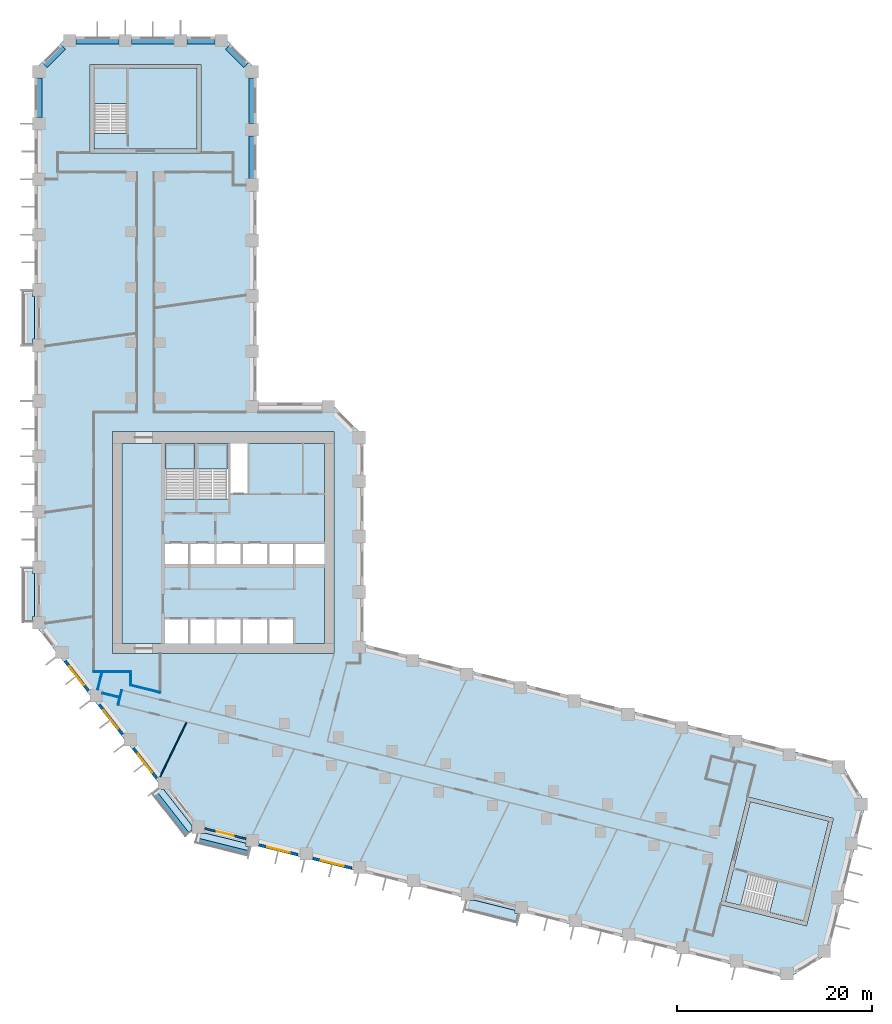
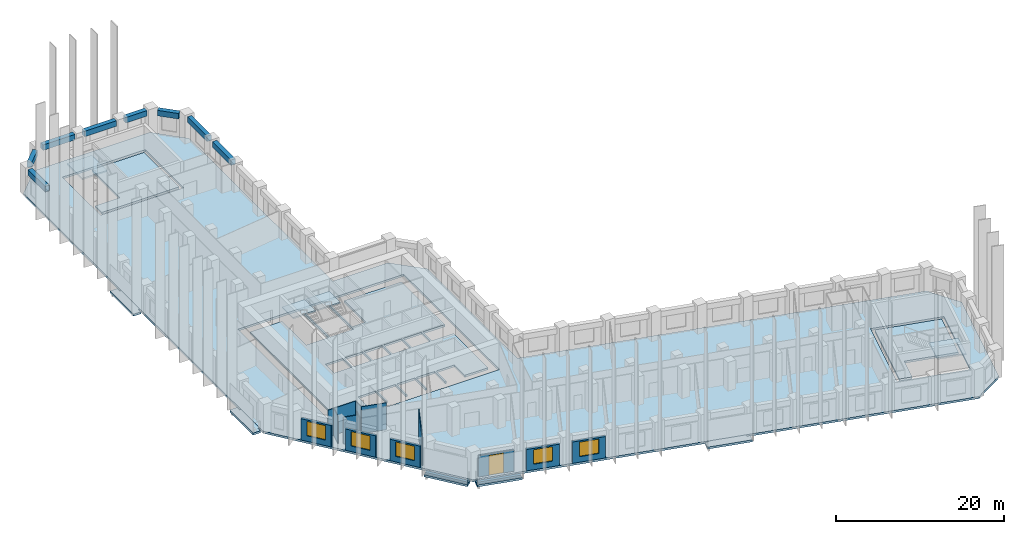
# One storey, part 2 of 11: 15 walls, 13 slabs, 8 beams, 5 windows, 1 door, 6 openings, 4 elements without a shape of their own.
"""IFC4 building model written with IfcOpenShell, lengths in metres."""

from ifc_helpers import new_model, si_unit, direction, frame, frame_2d, origin, origin_2d, place, context, subcontext, project, spatial, polyline, rectangle, outline, extrude, material, layer, layer_set, material_profile, profile_set, type_object, element, fill, aggregate, save


model = new_model("IFC4")

# Units and contexts
model_context = context("Model", 3, precision=1e-05, world=origin(), true_north=direction((0.0, 1.0)))
body_context = subcontext(model_context, "Body", "Model", "MODEL_VIEW")
ifc_project = project(units=[si_unit("LENGTHUNIT", "METRE"), si_unit("AREAUNIT", "SQUARE_METRE"), si_unit("VOLUMEUNIT", "CUBIC_METRE"), si_unit("PLANEANGLEUNIT", "RADIAN"), si_unit("MASSUNIT", "GRAM", prefix="KILO")], contexts=[model_context])

# Site, building, storey
site_placement = place(None, origin())
site = spatial("IfcSite", under=ifc_project, at=site_placement, CompositionType="ELEMENT")
building_placement = place(site_placement, origin())
building = spatial("IfcBuilding", under=site, at=building_placement, Name="Meshkara Civic Tower", CompositionType="ELEMENT")
storey_placement = place(building_placement, frame((0.0, 0.0, 97.199951171875)))
storey = spatial("IfcBuildingStorey", under=building, at=storey_placement, Name="L21", CompositionType="ELEMENT", Elevation=97.199951171875)

# Beams
ifc_material_1 = material(Name="Concrete C70", Category="concrete")
ifc_material_profile = material_profile(ifc_material_1, rectangle(XDim=0.60009765625, YDim=0.800048828125, at=origin_2d()))
ifc_profile_set = profile_set([ifc_material_profile], Name="Concrete C70")
beam_type = type_object("IfcBeamType", Name="Spandrel beam RC 600x800 C70", PredefinedType="BEAM", material=ifc_profile_set)
beam_1_placement = place(storey_placement, frame((22.35009765625, 62.89501953125, 3.5), z_axis=(0.0, 1.0, 0.0), x_axis=(-1.0, 0.0, 0.0)))
element("IfcBeam", 1, at=beam_1_placement, inside=storey, type_object=beam_type, Name="Spandrel beam AE04-AE05", PredefinedType="BEAM", context=body_context, shape_type="SweptSolid", body=[
    extrude(rectangle(XDim=0.60009765625, YDim=0.800048828125, at=origin_2d()), origin(), (0.0, 0.0, 1.0), 4.409912109375),
])
beam_2_placement = place(storey_placement, frame((22.35009765625, 68.594970703125, 3.5), z_axis=(0.0, 1.0, 0.0), x_axis=(-1.0, 0.0, 0.0)))
element("IfcBeam", 2, at=beam_2_placement, inside=storey, type_object=beam_type, Name="Spandrel beam AE05-AEEP1", PredefinedType="BEAM", context=body_context, shape_type="SweptSolid", body=[
    extrude(rectangle(XDim=0.60009765625, YDim=0.800048828125, at=origin_2d()), origin(), (0.0, 0.0, 1.0), 4.674072265625),
])
beam_3_placement = place(storey_placement, frame((21.70361328125, 74.560546875, 3.5), z_axis=(-0.707106781187, 0.707106781187, 0.0), x_axis=(-0.707106781187, -0.707106781187, 0.0)))
element("IfcBeam", 3, at=beam_3_placement, inside=storey, type_object=beam_type, Name="Spandrel beam AEEP1-ATiEP1", PredefinedType="BEAM", context=body_context, shape_type="SweptSolid", body=[
    extrude(rectangle(XDim=0.60009765625, YDim=0.800048828125, at=origin_2d()), origin(), (0.0, 0.0, 1.0), 2.634765625),
])
beam_4_placement = place(storey_placement, frame((18.549072265625, 77.070068359375, 3.5), z_axis=(-1.0, 0.0, 0.0), x_axis=(0.0, -1.0, 0.0)))
element("IfcBeam", 4, at=beam_4_placement, inside=storey, type_object=beam_type, Name="Spandrel beam AT02-P1-ATiEP1", PredefinedType="BEAM", context=body_context, shape_type="SweptSolid", body=[
    extrude(rectangle(XDim=0.60009765625, YDim=0.800048828125, at=origin_2d()), origin(), (0.0, 0.0, 1.0), 2.898193359375),
])
beam_5_placement = place(storey_placement, frame((14.361083984375, 77.070068359375, 3.5), z_axis=(-1.0, 0.0, 0.0), x_axis=(0.0, -1.0, 0.0)))
element("IfcBeam", 5, at=beam_5_placement, inside=storey, type_object=beam_type, Name="Spandrel beam AT01-P1-AT02-P1", PredefinedType="BEAM", context=body_context, shape_type="SweptSolid", body=[
    extrude(rectangle(XDim=0.60009765625, YDim=0.800048828125, at=origin_2d()), origin(), (0.0, 0.0, 1.0), 4.41015625),
])
beam_6_placement = place(storey_placement, frame((8.660888671875, 77.070068359375, 3.5), z_axis=(-1.0, 0.0, 0.0), x_axis=(0.0, -1.0, 0.0)))
element("IfcBeam", 6, at=beam_6_placement, inside=storey, type_object=beam_type, Name="Spandrel beam AT00-P1-AT01-P1", PredefinedType="BEAM", context=body_context, shape_type="SweptSolid", body=[
    extrude(rectangle(XDim=0.60009765625, YDim=0.800048828125, at=origin_2d()), origin(), (0.0, 0.0, 1.0), 4.409912109375),
])
beam_7_placement = place(storey_placement, frame((2.95947265625, 76.423583984375, 3.5), z_axis=(-0.707106781187, -0.707106781187, 0.0), x_axis=(0.707106781187, -0.707106781187, 0.0)))
element("IfcBeam", 7, at=beam_7_placement, inside=storey, type_object=beam_type, Name="Spandrel beam AT00-P1-ATo00-P1", PredefinedType="BEAM", context=body_context, shape_type="SweptSolid", body=[
    extrude(rectangle(XDim=0.60009765625, YDim=0.800048828125, at=origin_2d()), origin(), (0.0, 0.0, 1.0), 2.634765625),
])
beam_8_placement = place(storey_placement, frame((0.449951171875, 73.26904296875, 3.5), z_axis=(0.0, -1.0, 0.0), x_axis=(1.0, 0.0, 0.0)))
element("IfcBeam", 8, at=beam_8_placement, inside=storey, type_object=beam_type, Name="Spandrel beam ATo00-P1-AW09", PredefinedType="BEAM", context=body_context, shape_type="SweptSolid", body=[
    extrude(rectangle(XDim=0.60009765625, YDim=0.800048828125, at=origin_2d()), origin(), (0.0, 0.0, 1.0), 4.069091796875),
])

# Slabs
ifc_material_2 = material(Name="Concrete C40", Category="concrete")
ifc_layer_1 = layer(ifc_material_2, 0.300048828125)
ifc_layer_set_1 = layer_set([ifc_layer_1], Name="BALCONY SLAB")
slab_type_1 = type_object("IfcSlabType", Name="BALCONY SLAB", PredefinedType="FLOOR", material=ifc_layer_set_1)
slab_1_placement = place(storey_placement, frame((0.0, 0.0, -0.300048828125)))
element("IfcSlab", 9, at=slab_1_placement, inside=storey, type_object=slab_type_1, Name="Balcony slab", PredefinedType="FLOOR", context=body_context, shape_type="SweptSolid", body=[
    extrude(outline(polyline([(-1.199951171875, 45.81494140625), (-1.199951171875, 51.39501953125), (-0.199951171875, 51.39501953125), (-0.199951171875, 50.804931640625), (0.0, 50.804931640625), (0.0, 46.405029296875), (-0.199951171875, 46.405029296875), (-0.199951171875, 45.81494140625), (-1.199951171875, 45.81494140625)])), origin(), (0.0, 0.0, 1.0), 0.300048828125),
])
slab_2_placement = place(storey_placement, frame((0.0, 0.0, -0.300048828125)))
element("IfcSlab", 10, at=slab_2_placement, inside=storey, type_object=slab_type_1, Name="Balcony slab", PredefinedType="FLOOR", context=body_context, shape_type="SweptSolid", body=[
    extrude(outline(polyline([(-1.199951171875, 17.31494140625), (-1.199951171875, 22.89501953125), (-0.199951171875, 22.89501953125), (-0.199951171875, 22.304931640625), (0.0, 22.304931640625), (0.0, 17.905029296875), (-0.199951171875, 17.905029296875), (-0.199951171875, 17.31494140625), (-1.199951171875, 17.31494140625)])), origin(), (0.0, 0.0, 1.0), 0.300048828125),
])
slab_3_placement = place(storey_placement, frame((0.0, 0.0, -0.300048828125)))
element("IfcSlab", 11, at=slab_3_placement, inside=storey, type_object=slab_type_1, Name="Balcony slab", PredefinedType="FLOOR", context=body_context, shape_type="SweptSolid", body=[
    extrude(outline(polyline([(15.513916015625, -4.7060546875), (12.0791015625, -0.30908203125), (12.69189453125, 0.169921875), (12.69189453125, 0.10400390625), (13.279052734375, 0.10400390625), (16.200927734375, -3.636962890625), (16.200927734375, -4.169921875), (15.513916015625, -4.7060546875)])), origin(), (0.0, 0.0, 1.0), 0.300048828125),
])
slab_4_placement = place(storey_placement, frame((0.0, 0.0, -0.300048828125)))
element("IfcSlab", 12, at=slab_4_placement, inside=storey, type_object=slab_type_1, Name="Balcony slab", PredefinedType="FLOOR", context=body_context, shape_type="SweptSolid", body=[
    extrude(outline(polyline([(21.925048828125, -6.702880859375), (16.510009765625, -5.35302734375), (16.7509765625, -4.387939453125), (17.5009765625, -4.387939453125), (17.5009765625, -4.364013671875), (21.73193359375, -5.41796875), (21.73193359375, -5.76708984375), (22.157958984375, -5.76708984375), (21.925048828125, -6.702880859375)])), origin(), (0.0, 0.0, 1.0), 0.300048828125),
])
slab_5_placement = place(storey_placement, frame((0.0, 0.0, -0.300048828125)))
element("IfcSlab", 13, at=slab_5_placement, inside=storey, type_object=slab_type_1, Name="Balcony slab", PredefinedType="FLOOR", context=body_context, shape_type="SweptSolid", body=[
    extrude(outline(polyline([(49.577880859375, -13.597900390625), (44.1640625, -12.248046875), (44.405029296875, -11.281982421875), (45.155029296875, -11.281982421875), (45.155029296875, -11.258056640625), (49.385009765625, -12.31298828125), (49.385009765625, -12.660888671875), (49.81103515625, -12.660888671875), (49.577880859375, -13.597900390625)])), origin(), (0.0, 0.0, 1.0), 0.300048828125),
])
ifc_material_3 = material(Name="Concrete C40/50", Category="concrete")
ifc_layer_2 = layer(ifc_material_3, 0.300048828125)
ifc_layer_set_2 = layer_set([ifc_layer_2], Name="Core floor slab 300 C40/50")
slab_type_2 = type_object("IfcSlabType", Name="Core floor slab 300 C40/50", PredefinedType="FLOOR", material=ifc_layer_set_2)
slab_6_placement = place(storey_placement, frame((0.0, 0.0, -0.300048828125)))
element("IfcSlab", 14, at=slab_6_placement, inside=storey, type_object=slab_type_2, Name="Core floor K", PredefinedType="FLOOR", context=body_context, shape_type="SweptSolid", body=[
    extrude(outline(polyline([(9.0, 35.699951171875), (13.39990234375, 35.699951171875), (13.39990234375, 30.00146484375), (16.5, 30.00146484375), (16.5, 35.699951171875), (16.699951171875, 35.699951171875), (16.699951171875, 30.00146484375), (19.89990234375, 30.00146484375), (19.89990234375, 35.699951171875), (20.10009765625, 35.699951171875), (20.10009765625, 30.574951171875), (21.925048828125, 30.574951171875), (21.925048828125, 35.699951171875), (29.800048828125, 35.699951171875), (29.800048828125, 25.39990234375), (26.800048828125, 25.39990234375), (26.800048828125, 23.300048828125), (29.800048828125, 23.300048828125), (29.800048828125, 15.10009765625), (26.60009765625, 15.10009765625), (26.60009765625, 17.60009765625), (24.10009765625, 17.60009765625), (24.10009765625, 15.10009765625), (23.89990234375, 15.10009765625), (23.89990234375, 17.60009765625), (21.39990234375, 17.60009765625), (21.39990234375, 15.10009765625), (21.199951171875, 15.10009765625), (21.199951171875, 17.60009765625), (18.699951171875, 17.60009765625), (18.699951171875, 15.10009765625), (18.5, 15.10009765625), (18.5, 17.60009765625), (16.0, 17.60009765625), (16.0, 15.10009765625), (15.800048828125, 15.10009765625), (15.800048828125, 17.60009765625), (13.39990234375, 17.60009765625), (13.39990234375, 15.10009765625), (9.0, 15.10009765625), (9.0, 35.699951171875)]), holes=[polyline([(13.39990234375, 25.39990234375), (13.39990234375, 23.300048828125), (15.800048828125, 23.300048828125), (15.800048828125, 25.39990234375), (13.39990234375, 25.39990234375)]), polyline([(18.5, 23.300048828125), (18.5, 25.39990234375), (16.0, 25.39990234375), (16.0, 23.300048828125), (18.5, 23.300048828125)]), polyline([(18.699951171875, 25.39990234375), (18.699951171875, 23.300048828125), (21.199951171875, 23.300048828125), (21.199951171875, 25.39990234375), (18.699951171875, 25.39990234375)]), polyline([(23.89990234375, 23.300048828125), (23.89990234375, 25.39990234375), (21.39990234375, 25.39990234375), (21.39990234375, 23.300048828125), (23.89990234375, 23.300048828125)]), polyline([(26.60009765625, 23.300048828125), (26.60009765625, 25.39990234375), (24.10009765625, 25.39990234375), (24.10009765625, 23.300048828125), (26.60009765625, 23.300048828125)])]), origin(), (0.0, 0.0, 1.0), 0.300048828125),
])
slab_7_placement = place(storey_placement, frame((0.0, 0.0, -0.300048828125)))
element("IfcSlab", 15, at=slab_7_placement, inside=storey, type_object=slab_type_2, Name="Core floor EA", PredefinedType="FLOOR", context=body_context, shape_type="SweptSolid", body=[
    extrude(outline(polyline([(16.699951171875, 65.969970703125), (16.699951171875, 74.27001953125), (9.5, 74.27001953125), (9.5, 67.571533203125), (6.10009765625, 67.571533203125), (6.10009765625, 65.969970703125), (16.699951171875, 65.969970703125)])), origin(), (0.0, 0.0, 1.0), 0.300048828125),
])
slab_8_placement = place(storey_placement, frame((0.0, 0.0, -0.300048828125)))
element("IfcSlab", 16, at=slab_8_placement, inside=storey, type_object=slab_type_2, Name="Core floor EB", PredefinedType="FLOOR", context=body_context, shape_type="SweptSolid", body=[
    extrude(outline(polyline([(73.581298828125, -1.134521484375), (81.634521484375, -3.142578125), (79.892822265625, -10.128662109375), (73.393310546875, -8.508056640625), (72.57080078125, -11.80712890625), (71.016845703125, -11.419677734375), (73.581298828125, -1.134521484375)])), origin(), (0.0, 0.0, 1.0), 0.300048828125),
])

# Stair, slab
ifc_material_4 = material(Name="Precast concrete C40/50", Category="concrete")
stair_type_1 = type_object("IfcStairType", Name="Exit stair half-turn 24 risers precast", PredefinedType="HALF_TURN_STAIR", material=ifc_material_4)
stair_1_placement = place(storey_placement, origin())
stair_1 = element("IfcStair", 17, at=stair_1_placement, inside=storey, type_object=stair_type_1, Name="L21 exit stair 1", PredefinedType="HALF_TURN_STAIR")
ifc_material_5 = material(Name="Precast concrete C40/50", Category="concrete")
ifc_layer_3 = layer(ifc_material_5, 0.199951171875)
ifc_layer_set_3 = layer_set([ifc_layer_3], Name="Exit stair landing 200")
slab_type_3 = type_object("IfcSlabType", Name="Exit stair landing 200", PredefinedType="LANDING", material=ifc_layer_set_3)
slab_9_placement = place(storey_placement, frame((0.0, 0.0, 1.900146484375)))
slab_9 = element("IfcSlab", 18, at=slab_9_placement, type_object=slab_type_3, Name="ST1 landing 1", PredefinedType="LANDING", context=body_context, shape_type="SweptSolid", body=[
    extrude(outline(polyline([(16.5, 33.07861328125), (16.5, 35.699951171875), (13.39990234375, 35.699951171875), (13.39990234375, 33.07861328125), (16.5, 33.07861328125)])), origin(), (0.0, 0.0, 1.0), 0.199951171875),
])
aggregate(stair_1, [slab_9])

stair_2_placement = place(storey_placement, origin())
stair_2 = element("IfcStair", 19, at=stair_2_placement, inside=storey, type_object=stair_type_1, Name="L21 exit stair 2", PredefinedType="HALF_TURN_STAIR")
slab_10_placement = place(storey_placement, frame((0.0, 0.0, 1.900146484375)))
slab_10 = element("IfcSlab", 20, at=slab_10_placement, type_object=slab_type_3, Name="ST2 landing 1", PredefinedType="LANDING", context=body_context, shape_type="SweptSolid", body=[
    extrude(outline(polyline([(19.89990234375, 33.07861328125), (19.89990234375, 35.699951171875), (16.699951171875, 35.699951171875), (16.699951171875, 33.07861328125), (19.89990234375, 33.07861328125)])), origin(), (0.0, 0.0, 1.0), 0.199951171875),
])
aggregate(stair_2, [slab_10])

ifc_material_6 = material(Name="Precast concrete C40/50", Category="concrete")
stair_type_2 = type_object("IfcStairType", Name="Exit stair half-turn 24 risers 1600 precast", PredefinedType="HALF_TURN_STAIR", material=ifc_material_6)
stair_3_placement = place(storey_placement, origin())
stair_3 = element("IfcStair", 21, at=stair_3_placement, inside=storey, type_object=stair_type_2, Name="L21 exit stair A from L20", PredefinedType="HALF_TURN_STAIR")
slab_11_placement = place(storey_placement, frame((0.0, 0.0, 1.900146484375)))
slab_11 = element("IfcSlab", 22, at=slab_11_placement, type_object=slab_type_3, Name="ESA2 landing 1", PredefinedType="LANDING", context=body_context, shape_type="SweptSolid", body=[
    extrude(outline(polyline([(9.5, 70.6484375), (9.5, 74.27001953125), (6.10009765625, 74.27001953125), (6.10009765625, 70.6484375), (9.5, 70.6484375)])), origin(), (0.0, 0.0, 1.0), 0.199951171875),
])
aggregate(stair_3, [slab_11])

stair_4_placement = place(storey_placement, origin())
stair_4 = element("IfcStair", 23, at=stair_4_placement, inside=storey, type_object=stair_type_2, Name="L21 exit stair B from L20", PredefinedType="HALF_TURN_STAIR")
slab_12_placement = place(storey_placement, frame((0.0, 0.0, 1.900146484375)))
slab_12 = element("IfcSlab", 24, at=slab_12_placement, type_object=slab_type_3, Name="ESB2 landing 1", PredefinedType="LANDING", context=body_context, shape_type="SweptSolid", body=[
    extrude(outline(polyline([(75.5556640625, -12.55224609375), (79.06982421875, -13.428955078125), (79.89306640625, -10.12890625), (76.379150390625, -9.25244140625), (75.5556640625, -12.55224609375)])), origin(), (0.0, 0.0, 1.0), 0.199951171875),
])
aggregate(stair_4, [slab_12])

# Slab
ifc_material_7 = material(Name="Concrete C50", Category="concrete")
ifc_layer_4 = layer(ifc_material_7, 0.300048828125)
ifc_layer_set_4 = layer_set([ifc_layer_4], Name="Post-tensioned flat slab 300 C50")
slab_type_4 = type_object("IfcSlabType", Name="Post-tensioned flat slab 300 C50", PredefinedType="FLOOR", material=ifc_layer_set_4)
slab_13_placement = place(storey_placement, frame((0.0, 0.0, -0.300048828125)))
element("IfcSlab", 25, at=slab_13_placement, inside=storey, type_object=slab_type_4, Name="Post-tensioned flat slab L21", PredefinedType="FLOOR", context=body_context, shape_type="SweptSolid", body=[
    extrude(outline(polyline([(81.574951171875, -16.81396484375), (77.429931640625, -19.304931640625), (16.592041015625, -4.136962890625), (0.0, 17.10009765625), (0.0, 74.10009765625), (3.419921875, 77.52001953125), (19.3798828125, 77.52001953125), (22.800048828125, 74.10009765625), (22.800048828125, 39.89990234375), (30.3798828125, 39.89990234375), (33.800048828125, 36.47998046875), (33.800048828125, 15.071044921875), (82.945068359375, 2.81689453125), (85.43603515625, -1.327880859375), (81.574951171875, -16.81396484375)]), holes=[polyline([(79.362060546875, -13.9130859375), (82.1201171875, -2.85107421875), (73.2900390625, -0.64990234375), (70.531982421875, -11.7109375), (79.362060546875, -13.9130859375)]), polyline([(8.0, 14.10009765625), (30.800048828125, 14.10009765625), (30.800048828125, 36.89990234375), (8.0, 36.89990234375), (8.0, 14.10009765625)]), polyline([(5.699951171875, 74.669921875), (5.699951171875, 65.570068359375), (17.10009765625, 65.570068359375), (17.10009765625, 74.669921875), (5.699951171875, 74.669921875)])]), origin(), (0.0, 0.0, 1.0), 0.300048828125),
])

# Walls
ifc_material_8 = material(Name="Corridor wall 100")
ifc_layer_5 = layer(ifc_material_8, 0.10009765625)
ifc_layer_set_5 = layer_set([ifc_layer_5], Name="Corridor wall 100")
wall_type_1 = type_object("IfcWallType", Name="Corridor wall 100", PredefinedType="PARTITIONING", material=ifc_layer_set_5)
wall_1_placement = place(storey_placement, frame((6.10009765625, 12.199951171875, 0.0), z_axis=(0.0, 0.0, 1.0), x_axis=(1.0, 0.0, 0.0)))
element("IfcWall", 26, at=wall_1_placement, inside=storey, type_object=wall_type_1, Name="L21-W005", PredefinedType="PARTITIONING", context=body_context, shape_type="SweptSolid", body=[
    extrude(rectangle(XDim=3.7998046875, YDim=0.10009765625, at=frame_2d((1.89990234375, 0.0))), origin(), (0.0, 0.0, 1.0), 3.900146484375),
])
wall_2_placement = place(storey_placement, frame((8.9580078125, 10.322998046875, 0.0), z_axis=(0.0, 0.0, 1.0), x_axis=(-0.241875508386, -0.97030729073, 0.0)))
element("IfcWall", 27, at=wall_2_placement, inside=storey, type_object=wall_type_1, Name="L21-W008", PredefinedType="PARTITIONING", context=body_context, shape_type="SweptSolid", body=[
    extrude(rectangle(XDim=1.566650390625, YDim=0.10009765625, at=frame_2d((0.783203125, 0.0))), origin(), (0.0, 0.0, 1.0), 3.900146484375),
])
wall_3_placement = place(storey_placement, frame((9.89990234375, 10.825927734375, 0.0), z_axis=(0.0, 0.0, 1.0), x_axis=(0.970290953223, -0.241941038466, 0.0)))
element("IfcWall", 28, at=wall_3_placement, inside=storey, type_object=wall_type_1, Name="L21-W009", PredefinedType="PARTITIONING", context=body_context, shape_type="SweptSolid", body=[
    extrude(rectangle(XDim=3.091796875, YDim=0.10009765625, at=frame_2d((1.5458984375, 0.0))), origin(), (0.0, 0.0, 1.0), 3.900146484375),
])
wall_4_placement = place(storey_placement, frame((9.89990234375, 12.199951171875, 0.0), z_axis=(0.0, 0.0, 1.0), x_axis=(0.0, -1.0, 0.0)))
element("IfcWall", 29, at=wall_4_placement, inside=storey, type_object=wall_type_1, Name="L21-W010", PredefinedType="PARTITIONING", context=body_context, shape_type="SweptSolid", body=[
    extrude(rectangle(XDim=1.3740234375, YDim=0.10009765625, at=frame_2d((0.68701171875, 0.0))), origin(), (0.0, 0.0, 1.0), 3.900146484375),
])

# Wall, opening, window
ifc_material_9 = material(Name="Insulated infill panel with bronze anodised aluminium cladding", Category="aluminium")
ifc_layer_6 = layer(ifc_material_9, 0.300048828125)
ifc_layer_set_6 = layer_set([ifc_layer_6], Name="EXTERNAL INFILL WALL 300")
wall_type_2 = type_object("IfcWallType", Name="EXTERNAL INFILL WALL 300", PredefinedType="SOLIDWALL", material=ifc_layer_set_6)
wall_5_placement = place(storey_placement, frame((3.138916015625, 13.324951171875, 0.0), z_axis=(0.0, 0.0, 1.0), x_axis=(0.615779754703, -0.787918329332, 0.0)))
wall_5 = element("IfcWall", 30, at=wall_5_placement, inside=storey, type_object=wall_type_2, Name="External wall", PredefinedType="SOLIDWALL", context=body_context, shape_type="SweptSolid", body=[
    extrude(rectangle(XDim=3.874755859375, YDim=0.300048828125, at=frame_2d((1.9375, 0.0))), origin(), (0.0, 0.0, 1.0), 3.10009765625),
])
opening_1_placement = place(wall_5_placement, frame((0.738037109375, 0.0, 0.800048828125)))
opening_1 = element("IfcOpeningElement", 31, at=opening_1_placement, cuts=wall_5, Name="Opening W7", PredefinedType="OPENING", context=body_context, shape_type="SweptSolid", body=[
    extrude(rectangle(XDim=2.39990234375, YDim=2.10009765625, at=frame_2d((1.199951171875, 1.050048828125))), frame((0.0, 0.159912109375, 0.0), z_axis=(0.0, -1.0, 0.0), x_axis=(1.0, 0.0, 0.0)), (0.0, 0.0, 1.0), 0.320068359375),
])
ifc_material_10 = material(Name="Tinted double glazing", Category="glass")
window_type = type_object("IfcWindowType", Name="WINDOW 2400x2100", PartitioningType="DOUBLE_PANEL_VERTICAL", PredefinedType="WINDOW", material=ifc_material_10)
window_1_placement = place(opening_1_placement, origin())
window_1 = element("IfcWindow", 32, at=window_1_placement, inside=storey, type_object=window_type, Name="Window", OverallHeight=2.10009765625, OverallWidth=2.39990234375, PartitioningType="DOUBLE_PANEL_VERTICAL", PredefinedType="WINDOW", context=body_context, shape_type="SweptSolid", body=[
    extrude(rectangle(XDim=2.39990234375, YDim=2.10009765625, at=frame_2d((1.199951171875, 1.050048828125))), frame((0.0, 0.030029296875, 0.0), z_axis=(0.0, -1.0, 0.0), x_axis=(1.0, 0.0, 0.0)), (0.0, 0.0, 1.0), 0.06005859375),
])
fill(opening_1, window_1)

wall_6_placement = place(storey_placement, frame((6.64892578125, 8.833984375, 0.0), z_axis=(0.0, 0.0, 1.0), x_axis=(0.615535257281, -0.788109349674, 0.0)))
wall_6 = element("IfcWall", 33, at=wall_6_placement, inside=storey, type_object=wall_type_2, Name="External wall", PredefinedType="SOLIDWALL", context=body_context, shape_type="SweptSolid", body=[
    extrude(rectangle(XDim=3.876220703125, YDim=0.300048828125, at=frame_2d((1.93798828125, 0.0))), origin(), (0.0, 0.0, 1.0), 3.10009765625),
])
opening_2_placement = place(wall_6_placement, frame((0.738037109375, 0.0, 0.800048828125)))
opening_2 = element("IfcOpeningElement", 34, at=opening_2_placement, cuts=wall_6, Name="Opening W7", PredefinedType="OPENING", context=body_context, shape_type="SweptSolid", body=[
    extrude(rectangle(XDim=2.39990234375, YDim=2.10009765625, at=frame_2d((1.199951171875, 1.050048828125))), frame((0.0, 0.159912109375, 0.0), z_axis=(0.0, -1.0, 0.0), x_axis=(1.0, 0.0, 0.0)), (0.0, 0.0, 1.0), 0.320068359375),
])
window_2_placement = place(opening_2_placement, origin())
window_2 = element("IfcWindow", 35, at=window_2_placement, inside=storey, type_object=window_type, Name="Window", OverallHeight=2.10009765625, OverallWidth=2.39990234375, PartitioningType="DOUBLE_PANEL_VERTICAL", PredefinedType="WINDOW", context=body_context, shape_type="SweptSolid", body=[
    extrude(rectangle(XDim=2.39990234375, YDim=2.10009765625, at=frame_2d((1.199951171875, 1.050048828125))), frame((0.0, 0.030029296875, 0.0), z_axis=(0.0, -1.0, 0.0), x_axis=(1.0, 0.0, 0.0)), (0.0, 0.0, 1.0), 0.06005859375),
])
fill(opening_2, window_2)

wall_7_placement = place(storey_placement, frame((10.157958984375, 4.341064453125, 0.0), z_axis=(0.0, 0.0, 1.0), x_axis=(0.615779754703, -0.787918329332, 0.0)))
wall_7 = element("IfcWall", 36, at=wall_7_placement, inside=storey, type_object=wall_type_2, Name="External wall", PredefinedType="SOLIDWALL", context=body_context, shape_type="SweptSolid", body=[
    extrude(rectangle(XDim=3.874755859375, YDim=0.300048828125, at=frame_2d((1.9375, 0.0))), origin(), (0.0, 0.0, 1.0), 3.10009765625),
])
opening_3_placement = place(wall_7_placement, frame((0.737060546875, 0.0, 0.800048828125)))
opening_3 = element("IfcOpeningElement", 37, at=opening_3_placement, cuts=wall_7, Name="Opening W7", PredefinedType="OPENING", context=body_context, shape_type="SweptSolid", body=[
    extrude(rectangle(XDim=2.39990234375, YDim=2.10009765625, at=frame_2d((1.199951171875, 1.050048828125))), frame((0.0, 0.159912109375, 0.0), z_axis=(0.0, -1.0, 0.0), x_axis=(1.0, 0.0, 0.0)), (0.0, 0.0, 1.0), 0.320068359375),
])
window_3_placement = place(opening_3_placement, origin())
window_3 = element("IfcWindow", 38, at=window_3_placement, inside=storey, type_object=window_type, Name="Window", OverallHeight=2.10009765625, OverallWidth=2.39990234375, PartitioningType="DOUBLE_PANEL_VERTICAL", PredefinedType="WINDOW", context=body_context, shape_type="SweptSolid", body=[
    extrude(rectangle(XDim=2.39990234375, YDim=2.10009765625, at=frame_2d((1.199951171875, 1.050048828125))), frame((0.0, 0.030029296875, 0.0), z_axis=(0.0, -1.0, 0.0), x_axis=(1.0, 0.0, 0.0)), (0.0, 0.0, 1.0), 0.06005859375),
])
fill(opening_3, window_3)

wall_8_placement = place(storey_placement, frame((23.073974609375, -5.597900390625, 0.0), z_axis=(0.0, 0.0, 1.0), x_axis=(0.970267747908, -0.242034083076, 0.0)))
wall_8 = element("IfcWall", 39, at=wall_8_placement, inside=storey, type_object=wall_type_2, Name="External wall", PredefinedType="SOLIDWALL", context=body_context, shape_type="SweptSolid", body=[
    extrude(rectangle(XDim=4.12353515625, YDim=0.300048828125, at=frame_2d((2.061767578125, 0.0))), origin(), (0.0, 0.0, 1.0), 3.10009765625),
])
opening_4_placement = place(wall_8_placement, frame((0.862060546875, 0.0, 0.800048828125)))
opening_4 = element("IfcOpeningElement", 40, at=opening_4_placement, cuts=wall_8, Name="Opening W7", PredefinedType="OPENING", context=body_context, shape_type="SweptSolid", body=[
    extrude(rectangle(XDim=2.39990234375, YDim=2.10009765625, at=frame_2d((1.199951171875, 1.050048828125))), frame((0.0, 0.159912109375, 0.0), z_axis=(0.0, -1.0, 0.0), x_axis=(1.0, 0.0, 0.0)), (0.0, 0.0, 1.0), 0.320068359375),
])
window_4_placement = place(opening_4_placement, origin())
window_4 = element("IfcWindow", 41, at=window_4_placement, inside=storey, type_object=window_type, Name="Window", OverallHeight=2.10009765625, OverallWidth=2.39990234375, PartitioningType="DOUBLE_PANEL_VERTICAL", PredefinedType="WINDOW", context=body_context, shape_type="SweptSolid", body=[
    extrude(rectangle(XDim=2.39990234375, YDim=2.10009765625, at=frame_2d((1.199951171875, 1.050048828125))), frame((0.0, 0.030029296875, 0.0), z_axis=(0.0, -1.0, 0.0), x_axis=(1.0, 0.0, 0.0)), (0.0, 0.0, 1.0), 0.06005859375),
])
fill(opening_4, window_4)

wall_9_placement = place(storey_placement, frame((28.60400390625, -6.97705078125, 0.0), z_axis=(0.0, 0.0, 1.0), x_axis=(0.970281616392, -0.241978480223, 0.0)))
wall_9 = element("IfcWall", 42, at=wall_9_placement, inside=storey, type_object=wall_type_2, Name="External wall", PredefinedType="SOLIDWALL", context=body_context, shape_type="SweptSolid", body=[
    extrude(rectangle(XDim=4.12451171875, YDim=0.300048828125, at=frame_2d((2.062255859375, 0.0))), origin(), (0.0, 0.0, 1.0), 3.10009765625),
])
opening_5_placement = place(wall_9_placement, frame((0.862060546875, 0.0, 0.800048828125)))
opening_5 = element("IfcOpeningElement", 43, at=opening_5_placement, cuts=wall_9, Name="Opening W7", PredefinedType="OPENING", context=body_context, shape_type="SweptSolid", body=[
    extrude(rectangle(XDim=2.39990234375, YDim=2.10009765625, at=frame_2d((1.199951171875, 1.050048828125))), frame((0.0, 0.159912109375, 0.0), z_axis=(0.0, -1.0, 0.0), x_axis=(1.0, 0.0, 0.0)), (0.0, 0.0, 1.0), 0.320068359375),
])
window_5_placement = place(opening_5_placement, origin())
window_5 = element("IfcWindow", 44, at=window_5_placement, inside=storey, type_object=window_type, Name="Window", OverallHeight=2.10009765625, OverallWidth=2.39990234375, PartitioningType="DOUBLE_PANEL_VERTICAL", PredefinedType="WINDOW", context=body_context, shape_type="SweptSolid", body=[
    extrude(rectangle(XDim=2.39990234375, YDim=2.10009765625, at=frame_2d((1.199951171875, 1.050048828125))), frame((0.0, 0.030029296875, 0.0), z_axis=(0.0, -1.0, 0.0), x_axis=(1.0, 0.0, 0.0)), (0.0, 0.0, 1.0), 0.06005859375),
])
fill(opening_5, window_5)

# Wall, opening, door
ifc_material_11 = material(Name="Insulated infill panel with bronze anodised aluminium cladding", Category="aluminium")
ifc_layer_7 = layer(ifc_material_11, 0.199951171875)
ifc_layer_set_7 = layer_set([ifc_layer_7], Name="LOGGIA BACK WALL 200")
wall_type_3 = type_object("IfcWallType", Name="LOGGIA BACK WALL 200", PredefinedType="SOLIDWALL", material=ifc_layer_set_7)
wall_10_placement = place(storey_placement, frame((17.5009765625, -3.89990234375, 0.0), z_axis=(0.0, 0.0, 1.0), x_axis=(0.970280666889, -0.241982287495, 0.0)))
wall_10 = element("IfcWall", 45, at=wall_10_placement, inside=storey, type_object=wall_type_3, Name="Loggia wall", PredefinedType="SOLIDWALL", context=body_context, shape_type="SweptSolid", body=[
    extrude(rectangle(XDim=4.360595703125, YDim=0.199951171875, at=frame_2d((2.18017578125, 0.0))), origin(), (0.0, 0.0, 1.0), 3.10009765625),
])
opening_6_placement = place(wall_10_placement, frame((1.280029296875, 0.0, 0.0)))
opening_6 = element("IfcOpeningElement", 46, at=opening_6_placement, cuts=wall_10, Name="Opening L21-L004", PredefinedType="OPENING", context=body_context, shape_type="SweptSolid", body=[
    extrude(rectangle(XDim=1.800048828125, YDim=2.89990234375, at=frame_2d((0.89990234375, 1.449951171875))), frame((0.0, 0.10986328125, 0.0), z_axis=(0.0, -1.0, 0.0), x_axis=(1.0, 0.0, 0.0)), (0.0, 0.0, 1.0), 0.219970703125),
])
ifc_material_12 = material(Name="Tinted double glazing", Category="glass")
door_type = type_object("IfcDoorType", Name="LOGGIA DOOR 1800x2900", OperationType="DOUBLE_DOOR_SINGLE_SWING", PredefinedType="DOOR", material=ifc_material_12)
door_placement = place(opening_6_placement, origin())
door = element("IfcDoor", 47, at=door_placement, inside=storey, type_object=door_type, Name="L21-L004", OperationType="DOUBLE_DOOR_SINGLE_SWING", OverallHeight=2.89990234375, OverallWidth=1.800048828125, PredefinedType="DOOR", context=body_context, shape_type="SweptSolid", body=[
    extrude(rectangle(XDim=1.800048828125, YDim=2.89990234375, at=frame_2d((0.89990234375, 1.449951171875))), frame((0.0, 0.02490234375, 0.0), z_axis=(0.0, -1.0, 0.0), x_axis=(1.0, 0.0, 0.0)), (0.0, 0.0, 1.0), 0.050048828125),
])
fill(opening_6, door)

# Walls
ifc_material_13 = material(Name="Concrete C40", Category="concrete")
ifc_layer_8 = layer(ifc_material_13, 0.39990234375)
ifc_layer_set_8 = layer_set([ifc_layer_8], Name="PLANTER TRAY")
wall_type_4 = type_object("IfcWallType", Name="PLANTER TRAY", PredefinedType="SOLIDWALL", material=ifc_layer_set_8)
wall_11_placement = place(storey_placement, frame((12.39794921875, -0.198974609375, 0.0), z_axis=(0.0, 0.0, 1.0), x_axis=(0.615638738903, -0.788028516719, 0.0)))
element("IfcWall", 48, at=wall_11_placement, inside=storey, type_object=wall_type_4, Name="Planter", PredefinedType="SOLIDWALL", context=body_context, shape_type="SweptSolid", body=[
    extrude(rectangle(XDim=5.3603515625, YDim=0.39990234375, at=frame_2d((2.68017578125, 0.0))), origin(), (0.0, 0.0, 1.0), 0.300048828125),
])
wall_12_placement = place(storey_placement, frame((16.694091796875, -5.069091796875, 0.0), z_axis=(0.0, 0.0, 1.0), x_axis=(0.970289679319, -0.241946147329, 0.0)))
element("IfcWall", 49, at=wall_12_placement, inside=storey, type_object=wall_type_4, Name="Planter", PredefinedType="SOLIDWALL", context=body_context, shape_type="SweptSolid", body=[
    extrude(rectangle(XDim=5.360107421875, YDim=0.39990234375, at=frame_2d((2.68017578125, 0.0))), origin(), (0.0, 0.0, 1.0), 0.300048828125),
])
ifc_material_14 = material(Name="Partition 100")
ifc_layer_9 = layer(ifc_material_14, 0.10009765625)
ifc_layer_set_9 = layer_set([ifc_layer_9], Name="Partition 100")
wall_type_5 = type_object("IfcWallType", Name="Partition 100", PredefinedType="PARTITIONING", material=ifc_layer_set_9)
wall_13_placement = place(storey_placement, frame((6.922119140625, 12.137939453125, 0.0), z_axis=(0.0, 0.0, 1.0), x_axis=(-0.242153635337, -0.970237917674, 0.0)))
element("IfcWall", 50, at=wall_13_placement, inside=storey, type_object=wall_type_5, Name="L21-W035", PredefinedType="PARTITIONING", context=body_context, shape_type="SweptSolid", body=[
    extrude(rectangle(XDim=1.8046875, YDim=0.10009765625, at=frame_2d((0.90234375, 0.0))), origin(), (0.0, 0.0, 1.0), 3.900146484375),
])
wall_14_placement = place(storey_placement, frame((8.718994140625, 9.574951171875, 0.0), z_axis=(0.0, 0.0, 1.0), x_axis=(-0.970333736057, 0.241769395645, 0.0)))
element("IfcWall", 51, at=wall_14_placement, inside=storey, type_object=wall_type_5, Name="L21-W036", PredefinedType="PARTITIONING", context=body_context, shape_type="SweptSolid", body=[
    extrude(rectangle(XDim=1.799560546875, YDim=0.10009765625, at=frame_2d((0.89990234375, 0.0))), origin(), (0.0, 0.0, 1.0), 3.900146484375),
])
wall_15_placement = place(storey_placement, frame((12.889892578125, 1.404052734375, 0.0), z_axis=(0.0, 0.0, 1.0), x_axis=(0.438326074561, 0.898816028095, 0.0)))
element("IfcWall", 52, at=wall_15_placement, inside=storey, type_object=wall_type_5, Name="L21-W038", PredefinedType="PARTITIONING", context=body_context, shape_type="SweptSolid", body=[
    extrude(rectangle(XDim=6.212646484375, YDim=0.10009765625, at=frame_2d((3.1064453125, 0.0))), origin(), (0.0, 0.0, 1.0), 3.900146484375),
])

save(model, "model.ifc")
